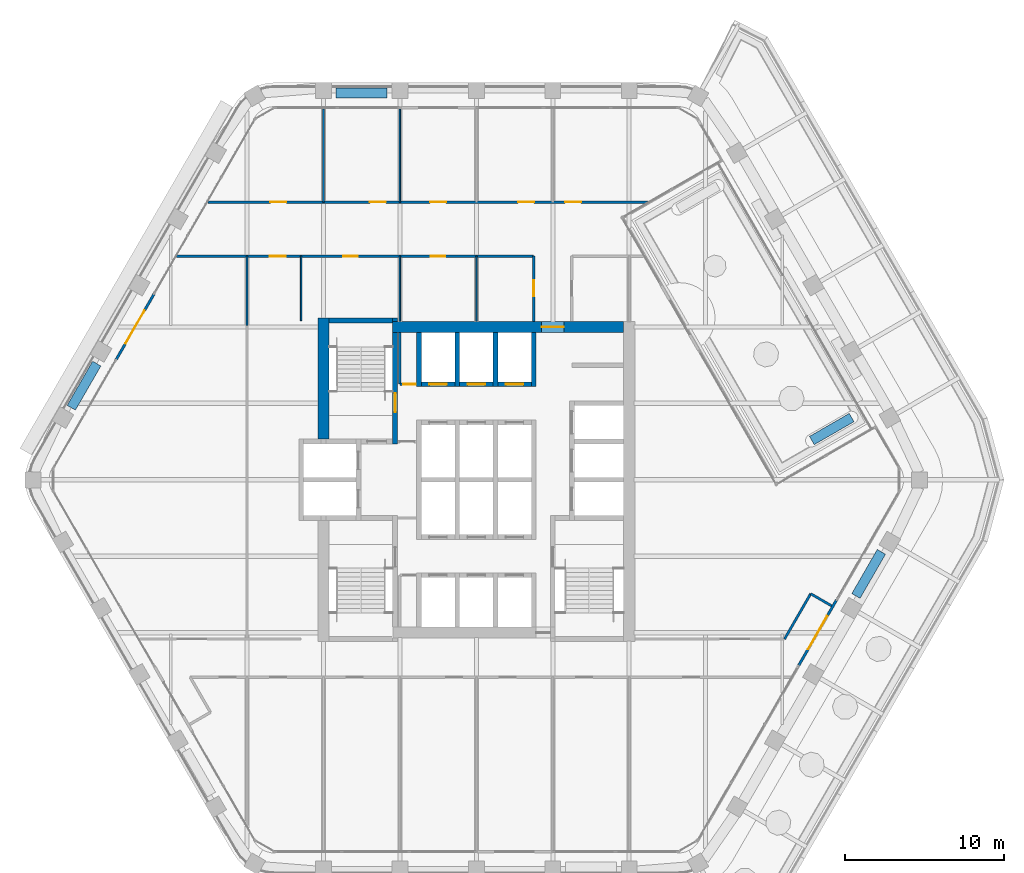
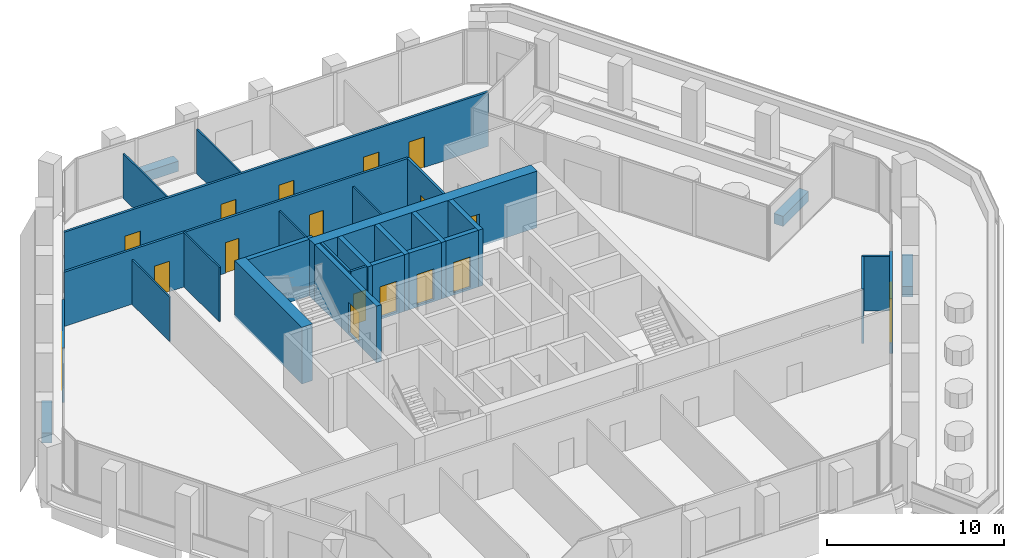
# One storey, part 13 of 17: 31 walls, 17 doors, 17 openings.
"""IFC4 building model written with IfcOpenShell, lengths in metres."""

from ifc_helpers import new_model, si_unit, direction, frame, frame_2d, origin, place, context, subcontext, project, spatial, rectangle, extrude, material, layer, layer_set, type_object, element, fill, save


model = new_model("IFC4")

# Units and contexts
model_context = context("Model", 3, precision=1e-05, world=origin(), true_north=direction((0.0, 1.0)))
body_context = subcontext(model_context, "Body", "Model", "MODEL_VIEW")
ifc_project = project(units=[si_unit("LENGTHUNIT", "METRE"), si_unit("AREAUNIT", "SQUARE_METRE"), si_unit("VOLUMEUNIT", "CUBIC_METRE"), si_unit("PLANEANGLEUNIT", "RADIAN"), si_unit("MASSUNIT", "GRAM", prefix="KILO")], contexts=[model_context])

# Site, building, storey
site_placement = place(None, origin())
site = spatial("IfcSite", under=ifc_project, at=site_placement, CompositionType="ELEMENT")
building_placement = place(site_placement, origin())
building = spatial("IfcBuilding", under=site, at=building_placement, Name="Kolab Exchange Tower", CompositionType="ELEMENT")
storey_placement = place(building_placement, frame((0.0, 0.0, 181.699951171875)))
storey = spatial("IfcBuildingStorey", under=building, at=storey_placement, Name="L38", CompositionType="ELEMENT", Elevation=181.699951171875)

# Wall, opening, door
ifc_material_1 = material(Name="Concrete C60/75", Category="concrete")
ifc_layer_1 = layer(ifc_material_1, 0.699951171875)
ifc_layer_set_1 = layer_set([ifc_layer_1], Name="Concrete C60/75")
wall_type_1 = type_object("IfcWallType", Name="CORE WALL 700 C60/75", PredefinedType="SHEAR", material=ifc_layer_set_1)
wall_1_placement = place(storey_placement, frame((-5.25, 9.60009765625, -0.14990234375), z_axis=(0.0, 0.0, 1.0), x_axis=(1.0, 0.0, 0.0)))
wall_1 = element("IfcWall", 1, at=wall_1_placement, inside=storey, type_object=wall_type_1, Name="wall/L38/core/031", PredefinedType="SHEAR", context=body_context, shape_type="SweptSolid", body=[
    extrude(rectangle(XDim=14.5, YDim=0.699951171875, at=frame_2d((7.25, 0.0))), origin(), (0.0, 0.0, 1.0), 3.89990234375),
])
opening_1_placement = place(wall_1_placement, frame((9.35009765625, 0.0, 0.14990234375)))
opening_1 = element("IfcOpeningElement", 2, at=opening_1_placement, cuts=wall_1, Name="Opening D5-010", PredefinedType="OPENING", context=body_context, shape_type="SweptSolid", body=[
    extrude(rectangle(XDim=1.39990234375, YDim=2.10009765625, at=frame_2d((0.699951171875, 1.050048828125))), frame((0.0, 0.35986328125, 0.0), z_axis=(0.0, -1.0, 0.0), x_axis=(1.0, 0.0, 0.0)), (0.0, 0.0, 1.0), 0.719970703125),
])
ifc_material_2 = material(Name="Steel S235", Category="steel")
door_type_1 = type_object("IfcDoorType", Name="CORE DOOR 1400 EI 120", OperationType="DOUBLE_DOOR_SINGLE_SWING", PredefinedType="DOOR", material=ifc_material_2)
door_1_placement = place(opening_1_placement, frame((1.39990234375, 0.0, 0.0), z_axis=(0.0, 0.0, 1.0), x_axis=(-1.0, 0.0, 0.0)))
door_1 = element("IfcDoor", 3, at=door_1_placement, inside=storey, type_object=door_type_1, Name="Core lobby door", OperationType="SINGLE_SWING_LEFT", OverallHeight=2.10009765625, OverallWidth=1.39990234375, PredefinedType="DOOR", context=body_context, shape_type="SweptSolid", body=[
    extrude(rectangle(XDim=1.39990234375, YDim=2.10009765625, at=frame_2d((0.699951171875, 1.050048828125))), frame((0.0, 0.02490234375, 0.0), z_axis=(0.0, -1.0, 0.0), x_axis=(1.0, 0.0, 0.0)), (0.0, 0.0, 1.0), 0.050048828125),
])
fill(opening_1, door_1)

# Wall
wall_2_placement = place(storey_placement, frame((-9.60009765625, 2.550048828125, -0.14990234375), z_axis=(0.0, 0.0, 1.0), x_axis=(0.0, 1.0, 0.0)))
element("IfcWall", 4, at=wall_2_placement, inside=storey, type_object=wall_type_1, Name="wall/L38/core/037", PredefinedType="SHEAR", context=body_context, shape_type="SweptSolid", body=[
    extrude(rectangle(XDim=7.599853515625, YDim=0.699951171875, at=frame_2d((3.7998046875, 0.0))), origin(), (0.0, 0.0, 1.0), 3.89990234375),
])

# Wall, opening, door
ifc_material_3 = material(Name="Aluminium EN AW-6063 T6", Category="aluminium")
ifc_layer_2 = layer(ifc_material_3, 0.159912109375)
ifc_layer_set_2 = layer_set([ifc_layer_2], Name="Aluminium EN AW-6063 T6")
wall_type_2 = type_object("IfcWallType", Name="DOOR SURROUND WALL 160 ALUMINIUM FRAMED", PredefinedType="PARTITIONING", material=ifc_layer_set_2)
wall_3_placement = place(storey_placement, frame((22.61669921875, -7.5498046875, 0.0), z_axis=(0.0, 0.0, 1.0), x_axis=(-0.5000167099, -0.866015756104, 0.0)))
wall_3 = element("IfcWall", 5, at=wall_3_placement, inside=storey, type_object=wall_type_2, Name="Door surround wall", PredefinedType="PARTITIONING", context=body_context, shape_type="SweptSolid", body=[
    extrude(rectangle(XDim=4.739990234375, YDim=0.159912109375, at=frame_2d((2.3701171875, 0.0))), origin(), (0.0, 0.0, 1.0), 3.75),
])
opening_2_placement = place(wall_3_placement, frame((1.169921875, 0.0, 0.0)))
opening_2 = element("IfcOpeningElement", 6, at=opening_2_placement, cuts=wall_3, Name="Opening GD1-066", PredefinedType="OPENING", context=body_context, shape_type="SweptSolid", body=[
    extrude(rectangle(XDim=2.39990234375, YDim=2.39990234375, at=frame_2d((1.199951171875, 1.199951171875))), frame((0.0, 0.08984375, 0.0), z_axis=(0.0, -1.0, 0.0), x_axis=(1.0, 0.0, 0.0)), (0.0, 0.0, 1.0), 0.179931640625),
])
door_type_2 = type_object("IfcDoorType", Name="LOGGIA SLIDING GLASS DOOR 2400 X 2400", OperationType="DOUBLE_DOOR_SINGLE_SWING", PredefinedType="DOOR", material=ifc_material_3)
door_2_placement = place(opening_2_placement, origin())
door_2 = element("IfcDoor", 7, at=door_2_placement, inside=storey, type_object=door_type_2, Name="Loggia door", OperationType="DOUBLE_DOOR_SLIDING", OverallHeight=2.39990234375, OverallWidth=2.39990234375, PredefinedType="DOOR", context=body_context, shape_type="SweptSolid", body=[
    extrude(rectangle(XDim=2.39990234375, YDim=2.39990234375, at=frame_2d((1.199951171875, 1.199951171875))), frame((0.0, 0.02490234375, 0.0), z_axis=(0.0, -1.0, 0.0), x_axis=(1.0, 0.0, 0.0)), (0.0, 0.0, 1.0), 0.050048828125),
])
fill(opening_2, door_2)

wall_4_placement = place(storey_placement, frame((-22.61669921875, 7.5498046875, 0.0), z_axis=(0.0, 0.0, 1.0), x_axis=(0.5000167099, 0.866015756104, 0.0)))
wall_4 = element("IfcWall", 8, at=wall_4_placement, inside=storey, type_object=wall_type_2, Name="Door surround wall", PredefinedType="PARTITIONING", context=body_context, shape_type="SweptSolid", body=[
    extrude(rectangle(XDim=4.739990234375, YDim=0.159912109375, at=frame_2d((2.3701171875, 0.0))), origin(), (0.0, 0.0, 1.0), 3.75),
])
opening_3_placement = place(wall_4_placement, frame((1.169921875, 0.0, 0.0)))
opening_3 = element("IfcOpeningElement", 9, at=opening_3_placement, cuts=wall_4, Name="Opening GD1-069", PredefinedType="OPENING", context=body_context, shape_type="SweptSolid", body=[
    extrude(rectangle(XDim=2.39990234375, YDim=2.39990234375, at=frame_2d((1.199951171875, 1.199951171875))), frame((0.0, 0.08984375, 0.0), z_axis=(0.0, -1.0, 0.0), x_axis=(1.0, 0.0, 0.0)), (0.0, 0.0, 1.0), 0.179931640625),
])
door_3_placement = place(opening_3_placement, origin())
door_3 = element("IfcDoor", 10, at=door_3_placement, inside=storey, type_object=door_type_2, Name="Loggia door", OperationType="DOUBLE_DOOR_SLIDING", OverallHeight=2.39990234375, OverallWidth=2.39990234375, PredefinedType="DOOR", context=body_context, shape_type="SweptSolid", body=[
    extrude(rectangle(XDim=2.39990234375, YDim=2.39990234375, at=frame_2d((1.199951171875, 1.199951171875))), frame((0.0, 0.02490234375, 0.0), z_axis=(0.0, -1.0, 0.0), x_axis=(1.0, 0.0, 0.0)), (0.0, 0.0, 1.0), 0.050048828125),
])
fill(opening_3, door_3)

ifc_material_4 = material(Name="Concrete C50/60", Category="concrete")
ifc_layer_3 = layer(ifc_material_4, 0.300048828125)
ifc_layer_set_3 = layer_set([ifc_layer_3], Name="Concrete C50/60")
wall_type_3 = type_object("IfcWallType", Name="LIFT SHAFT WALL 300 C50/60", PredefinedType="STANDARD", material=ifc_layer_set_3)
wall_5_placement = place(storey_placement, frame((-3.449951171875, 6.0, -0.14990234375), z_axis=(0.0, 0.0, 1.0), x_axis=(1.0, 0.0, 0.0)))
wall_5 = element("IfcWall", 11, at=wall_5_placement, inside=storey, type_object=wall_type_3, Name="wall/L38/core/027", PredefinedType="STANDARD", context=body_context, shape_type="SweptSolid", body=[
    extrude(rectangle(XDim=2.099853515625, YDim=0.300048828125, at=frame_2d((1.0498046875, 0.0))), origin(), (0.0, 0.0, 1.0), 3.89990234375),
])
opening_4_placement = place(wall_5_placement, frame((0.5, 0.0, 0.14990234375)))
opening_4 = element("IfcOpeningElement", 12, at=opening_4_placement, cuts=wall_5, Name="Opening LD1-109", PredefinedType="OPENING", context=body_context, shape_type="SweptSolid", body=[
    extrude(rectangle(XDim=1.10009765625, YDim=2.10009765625, at=frame_2d((0.550048828125, 1.050048828125))), frame((0.0, 0.16015625, 0.0), z_axis=(0.0, -1.0, 0.0), x_axis=(1.0, 0.0, 0.0)), (0.0, 0.0, 1.0), 0.320068359375),
])
ifc_material_5 = material(Name="Stainless steel 316", Category="steel")
door_type_3 = type_object("IfcDoorType", Name="LANDING DOOR 1100 PASSENGER", OperationType="DOUBLE_DOOR_SLIDING", PredefinedType="DOOR", material=ifc_material_5)
door_4_placement = place(opening_4_placement, origin())
door_4 = element("IfcDoor", 13, at=door_4_placement, inside=storey, type_object=door_type_3, Name="Landing door HR1", OperationType="DOUBLE_DOOR_SLIDING", OverallHeight=2.10009765625, OverallWidth=1.10009765625, PredefinedType="DOOR", context=body_context, shape_type="SweptSolid", body=[
    extrude(rectangle(XDim=1.10009765625, YDim=2.10009765625, at=frame_2d((0.550048828125, 1.050048828125))), frame((0.0, 0.02490234375, 0.0), z_axis=(0.0, -1.0, 0.0), x_axis=(1.0, 0.0, 0.0)), (0.0, 0.0, 1.0), 0.050048828125),
])
fill(opening_4, door_4)

wall_6_placement = place(storey_placement, frame((-1.050048828125, 6.0, -0.14990234375), z_axis=(0.0, 0.0, 1.0), x_axis=(1.0, 0.0, 0.0)))
wall_6 = element("IfcWall", 14, at=wall_6_placement, inside=storey, type_object=wall_type_3, Name="wall/L38/core/028", PredefinedType="STANDARD", context=body_context, shape_type="SweptSolid", body=[
    extrude(rectangle(XDim=2.10009765625, YDim=0.300048828125, at=frame_2d((1.050048828125, 0.0))), origin(), (0.0, 0.0, 1.0), 3.89990234375),
])
opening_5_placement = place(wall_6_placement, frame((0.5, 0.0, 0.14990234375)))
opening_5 = element("IfcOpeningElement", 15, at=opening_5_placement, cuts=wall_6, Name="Opening LD1-113", PredefinedType="OPENING", context=body_context, shape_type="SweptSolid", body=[
    extrude(rectangle(XDim=1.10009765625, YDim=2.10009765625, at=frame_2d((0.550048828125, 1.050048828125))), frame((0.0, 0.16015625, 0.0), z_axis=(0.0, -1.0, 0.0), x_axis=(1.0, 0.0, 0.0)), (0.0, 0.0, 1.0), 0.320068359375),
])
door_5_placement = place(opening_5_placement, origin())
door_5 = element("IfcDoor", 16, at=door_5_placement, inside=storey, type_object=door_type_3, Name="Landing door HR2", OperationType="DOUBLE_DOOR_SLIDING", OverallHeight=2.10009765625, OverallWidth=1.10009765625, PredefinedType="DOOR", context=body_context, shape_type="SweptSolid", body=[
    extrude(rectangle(XDim=1.10009765625, YDim=2.10009765625, at=frame_2d((0.550048828125, 1.050048828125))), frame((0.0, 0.02490234375, 0.0), z_axis=(0.0, -1.0, 0.0), x_axis=(1.0, 0.0, 0.0)), (0.0, 0.0, 1.0), 0.050048828125),
])
fill(opening_5, door_5)

wall_7_placement = place(storey_placement, frame((1.35009765625, 6.0, -0.14990234375), z_axis=(0.0, 0.0, 1.0), x_axis=(1.0, 0.0, 0.0)))
wall_7 = element("IfcWall", 17, at=wall_7_placement, inside=storey, type_object=wall_type_3, Name="wall/L38/core/029", PredefinedType="STANDARD", context=body_context, shape_type="SweptSolid", body=[
    extrude(rectangle(XDim=2.099853515625, YDim=0.300048828125, at=frame_2d((1.0498046875, 0.0))), origin(), (0.0, 0.0, 1.0), 3.89990234375),
])
opening_6_placement = place(wall_7_placement, frame((0.5, 0.0, 0.14990234375)))
opening_6 = element("IfcOpeningElement", 18, at=opening_6_placement, cuts=wall_7, Name="Opening LD1-114", PredefinedType="OPENING", context=body_context, shape_type="SweptSolid", body=[
    extrude(rectangle(XDim=1.10009765625, YDim=2.10009765625, at=frame_2d((0.550048828125, 1.050048828125))), frame((0.0, 0.16015625, 0.0), z_axis=(0.0, -1.0, 0.0), x_axis=(1.0, 0.0, 0.0)), (0.0, 0.0, 1.0), 0.320068359375),
])
door_6_placement = place(opening_6_placement, origin())
door_6 = element("IfcDoor", 19, at=door_6_placement, inside=storey, type_object=door_type_3, Name="Landing door HR3", OperationType="DOUBLE_DOOR_SLIDING", OverallHeight=2.10009765625, OverallWidth=1.10009765625, PredefinedType="DOOR", context=body_context, shape_type="SweptSolid", body=[
    extrude(rectangle(XDim=1.10009765625, YDim=2.10009765625, at=frame_2d((0.550048828125, 1.050048828125))), frame((0.0, 0.02490234375, 0.0), z_axis=(0.0, -1.0, 0.0), x_axis=(1.0, 0.0, 0.0)), (0.0, 0.0, 1.0), 0.050048828125),
])
fill(opening_6, door_6)

# Walls
for number, where, z_axis, x_axis, name in (
    (20, (-3.60009765625, 5.85009765625, -0.14990234375), (0.0, 0.0, 1.0), (0.0, 1.0, 0.0), "wall/L38/core/045"),
    (21, (-1.199951171875, 5.85009765625, -0.14990234375), (0.0, 0.0, 1.0), (0.0, 1.0, 0.0), "wall/L38/core/048"),
    (22, (1.199951171875, 5.85009765625, -0.14990234375), (0.0, 0.0, 1.0), (0.0, 1.0, 0.0), "wall/L38/core/051"),
    (23, (3.60009765625, 5.85009765625, -0.14990234375), (0.0, 0.0, 1.0), (0.0, 1.0, 0.0), "wall/L38/core/054"),
):
    element("IfcWall", number, at=place(storey_placement, frame(where, z_axis=z_axis, x_axis=x_axis)), inside=storey, type_object=wall_type_3, Name=name, PredefinedType="STANDARD", context=body_context, shape_type="SweptSolid", body=[
        extrude(rectangle(XDim=3.39990234375, YDim=0.300048828125, at=frame_2d((1.699951171875, 0.0))), origin(), (0.0, 0.0, 1.0), 3.89990234375),
    ])
ifc_material_6 = material(Name="Gypsum board", Category="gypsum")
ifc_layer_4 = layer(ifc_material_6, 0.10009765625)
ifc_layer_set_4 = layer_set([ifc_layer_4], Name="Gypsum board")
wall_type_4 = type_object("IfcWallType", Name="PARTITION 100", PredefinedType="PARTITIONING", material=ifc_layer_set_4)
for number, where, z_axis, x_axis, name in (
    (24, (0.0, 9.949951171875, 0.0), (0.0, 0.0, 1.0), (0.0, 1.0, 0.0), "Partition 007"),
    (25, (-4.800048828125, 9.949951171875, 0.0), (0.0, 0.0, 1.0), (0.0, 1.0, 0.0), "Partition 010"),
):
    element("IfcWall", number, at=place(storey_placement, frame(where, z_axis=z_axis, x_axis=x_axis)), inside=storey, type_object=wall_type_4, Name=name, PredefinedType="PARTITIONING", context=body_context, shape_type="SweptSolid", body=[
        extrude(rectangle(XDim=4.091552734375, YDim=0.10009765625, at=frame_2d((2.0458984375, 0.0))), origin(), (0.0, 0.0, 1.0), 3.066162109375),
    ])
wall_8_placement = place(storey_placement, frame((-4.800048828125, 17.44140625, 0.0), z_axis=(0.0, 0.0, 1.0), x_axis=(0.0, 1.0, 0.0)))
element("IfcWall", 26, at=wall_8_placement, inside=storey, type_object=wall_type_4, Name="Partition 011", PredefinedType="PARTITIONING", context=body_context, shape_type="SweptSolid", body=[
    extrude(rectangle(XDim=5.840087890625, YDim=0.10009765625, at=frame_2d((2.919921875, 0.0))), origin(), (0.0, 0.0, 1.0), 3.066162109375),
])
wall_9_placement = place(storey_placement, frame((-9.60009765625, 17.44140625, 0.0), z_axis=(0.0, 0.0, 1.0), x_axis=(0.0, 1.0, 0.0)))
element("IfcWall", 27, at=wall_9_placement, inside=storey, type_object=wall_type_4, Name="Partition 015", PredefinedType="PARTITIONING", context=body_context, shape_type="SweptSolid", body=[
    extrude(rectangle(XDim=5.830078125, YDim=0.10009765625, at=frame_2d((2.9150390625, 0.0))), origin(), (0.0, 0.0, 1.0), 3.066162109375),
])
wall_10_placement = place(storey_placement, frame((-11.0, 10.0, 0.0), z_axis=(0.0, 0.0, 1.0), x_axis=(0.0, 1.0, 0.0)))
element("IfcWall", 28, at=wall_10_placement, inside=storey, type_object=wall_type_4, Name="Partition 016", PredefinedType="PARTITIONING", context=body_context, shape_type="SweptSolid", body=[
    extrude(rectangle(XDim=4.04150390625, YDim=0.10009765625, at=frame_2d((2.020751953125, 0.0))), origin(), (0.0, 0.0, 1.0), 3.75),
])
wall_11_placement = place(storey_placement, frame((-14.39990234375, 9.693603515625, 0.0), z_axis=(0.0, 0.0, 1.0), x_axis=(0.0, 1.0, 0.0)))
element("IfcWall", 29, at=wall_11_placement, inside=storey, type_object=wall_type_4, Name="Partition 018", PredefinedType="PARTITIONING", context=body_context, shape_type="SweptSolid", body=[
    extrude(rectangle(XDim=4.347900390625, YDim=0.10009765625, at=frame_2d((2.173828125, 0.0))), origin(), (0.0, 0.0, 1.0), 3.066162109375),
])

# Wall, opening, door
ifc_layer_5 = layer(ifc_material_6, 0.14990234375)
ifc_layer_set_5 = layer_set([ifc_layer_5], Name="Gypsum board")
wall_type_5 = type_object("IfcWallType", Name="PARTITION 150 FIRE-RATED", PredefinedType="PARTITIONING", material=ifc_layer_set_5)
wall_12_placement = place(storey_placement, frame((3.60009765625, 9.949951171875, 0.0), z_axis=(0.0, 0.0, 1.0), x_axis=(0.0, 1.0, 0.0)))
wall_12 = element("IfcWall", 30, at=wall_12_placement, inside=storey, type_object=wall_type_5, Name="Partition 005", PredefinedType="PARTITIONING", context=body_context, shape_type="SweptSolid", body=[
    extrude(rectangle(XDim=4.091552734375, YDim=0.14990234375, at=frame_2d((2.0458984375, 0.0))), origin(), (0.0, 0.0, 1.0), 3.75),
])
opening_7_placement = place(wall_12_placement, frame((1.57080078125, 0.0, 0.0)))
opening_7 = element("IfcOpeningElement", 31, at=opening_7_placement, cuts=wall_12, Name="Opening D1-505", PredefinedType="OPENING", context=body_context, shape_type="SweptSolid", body=[
    extrude(rectangle(XDim=1.0, YDim=2.10009765625, at=frame_2d((0.5, 1.050048828125))), frame((0.0, 0.0849609375, 0.0), z_axis=(0.0, -1.0, 0.0), x_axis=(1.0, 0.0, 0.0)), (0.0, 0.0, 1.0), 0.169921875),
])
door_type_4 = type_object("IfcDoorType", Name="FLUSH DOOR 1000 FD60", OperationType="SINGLE_SWING_LEFT", PredefinedType="DOOR", material=ifc_material_2)
door_7_placement = place(opening_7_placement, origin())
door_7 = element("IfcDoor", 32, at=door_7_placement, inside=storey, type_object=door_type_4, Name="Door L38-033", OperationType="SINGLE_SWING_RIGHT", OverallHeight=2.10009765625, OverallWidth=1.0, PredefinedType="DOOR", context=body_context, shape_type="SweptSolid", body=[
    extrude(rectangle(XDim=1.0, YDim=2.10009765625, at=frame_2d((0.5, 1.050048828125))), frame((0.0, 0.02490234375, 0.0), z_axis=(0.0, -1.0, 0.0), x_axis=(1.0, 0.0, 0.0)), (0.0, 0.0, 1.0), 0.050048828125),
])
fill(opening_7, door_7)

# Walls
wall_13_placement = place(storey_placement, frame((-4.800048828125, 6.0, 0.0), z_axis=(0.0, 0.0, 1.0), x_axis=(0.0, 1.0, 0.0)))
element("IfcWall", 33, at=wall_13_placement, inside=storey, type_object=wall_type_5, Name="Partition 013", PredefinedType="PARTITIONING", context=body_context, shape_type="SweptSolid", body=[
    extrude(rectangle(XDim=3.25, YDim=0.14990234375, at=frame_2d((1.625, 0.0))), origin(), (0.0, 0.0, 1.0), 3.75),
])
wall_14_placement = place(storey_placement, frame((19.3544921875, -10.0, 0.0), z_axis=(0.0, 0.0, 1.0), x_axis=(0.500009969958, 0.86601964755, 0.0)))
element("IfcWall", 34, at=wall_14_placement, inside=storey, type_object=wall_type_5, Name="Partition 020", PredefinedType="PARTITIONING", context=body_context, shape_type="SweptSolid", body=[
    extrude(rectangle(XDim=3.283203125, YDim=0.14990234375, at=frame_2d((1.6416015625, 0.0))), origin(), (0.0, 0.0, 1.0), 3.75),
])
wall_15_placement = place(storey_placement, frame((20.99609375, -7.15673828125, 0.0), z_axis=(0.0, 0.0, 1.0), x_axis=(0.865960906633, -0.500111695708, 0.0)))
element("IfcWall", 35, at=wall_15_placement, inside=storey, type_object=wall_type_5, Name="Partition 021", PredefinedType="PARTITIONING", context=body_context, shape_type="SweptSolid", body=[
    extrude(rectangle(XDim=1.520263671875, YDim=0.14990234375, at=frame_2d((0.76025390625, 0.0))), origin(), (0.0, 0.0, 1.0), 3.75),
])

# Wall, opening, door
wall_16_placement = place(storey_placement, frame((-4.800048828125, 6.0, 0.0), z_axis=(0.0, 0.0, 1.0), x_axis=(1.0, 0.0, 0.0)))
wall_16 = element("IfcWall", 36, at=wall_16_placement, inside=storey, type_object=wall_type_5, Name="Partition 027", PredefinedType="PARTITIONING", context=body_context, shape_type="SweptSolid", body=[
    extrude(rectangle(XDim=1.050048828125, YDim=0.14990234375, at=frame_2d((0.52490234375, 0.0))), origin(), (0.0, 0.0, 1.0), 3.75),
])
opening_8_placement = place(wall_16_placement, frame((0.199951171875, 0.0, 0.0)))
opening_8 = element("IfcOpeningElement", 37, at=opening_8_placement, cuts=wall_16, Name="Opening D7-032", PredefinedType="OPENING", context=body_context, shape_type="SweptSolid", body=[
    extrude(rectangle(XDim=0.800048828125, YDim=2.10009765625, at=frame_2d((0.39990234375, 1.050048828125))), frame((0.0, 0.0849609375, 0.0), z_axis=(0.0, -1.0, 0.0), x_axis=(1.0, 0.0, 0.0)), (0.0, 0.0, 1.0), 0.169921875),
])
door_type_5 = type_object("IfcDoorType", Name="FLUSH DOOR 800 FD60", OperationType="SINGLE_SWING_LEFT", PredefinedType="DOOR", material=ifc_material_2)
door_8_placement = place(opening_8_placement, origin())
door_8 = element("IfcDoor", 38, at=door_8_placement, inside=storey, type_object=door_type_5, Name="Door L38-023", OperationType="SINGLE_SWING_RIGHT", OverallHeight=2.10009765625, OverallWidth=0.800048828125, PredefinedType="DOOR", context=body_context, shape_type="SweptSolid", body=[
    extrude(rectangle(XDim=0.800048828125, YDim=2.10009765625, at=frame_2d((0.39990234375, 1.050048828125))), frame((0.0, 0.02490234375, 0.0), z_axis=(0.0, -1.0, 0.0), x_axis=(1.0, 0.0, 0.0)), (0.0, 0.0, 1.0), 0.050048828125),
])
fill(opening_8, door_8)

# Wall, openings, doors
wall_17_placement = place(storey_placement, frame((-18.822509765625, 14.04150390625, 0.0), z_axis=(0.0, 0.0, 1.0), x_axis=(1.0, 0.0, 0.0)))
wall_17 = element("IfcWall", 39, at=wall_17_placement, inside=storey, type_object=wall_type_5, Name="Partition 028", PredefinedType="PARTITIONING", context=body_context, shape_type="SweptSolid", body=[
    extrude(rectangle(XDim=22.422607421875, YDim=0.14990234375, at=frame_2d((11.21142578125, 0.0))), origin(), (0.0, 0.0, 1.0), 3.75),
])
opening_9_placement = place(wall_17_placement, frame((10.472412109375, 0.0, 0.0)))
opening_9 = element("IfcOpeningElement", 40, at=opening_9_placement, cuts=wall_17, Name="Opening D3-038", PredefinedType="OPENING", context=body_context, shape_type="SweptSolid", body=[
    extrude(rectangle(XDim=0.89990234375, YDim=2.10009765625, at=frame_2d((0.449951171875, 1.050048828125))), frame((0.0, 0.0849609375, 0.0), z_axis=(0.0, -1.0, 0.0), x_axis=(1.0, 0.0, 0.0)), (0.0, 0.0, 1.0), 0.169921875),
])
opening_10_placement = place(wall_17_placement, frame((15.972412109375, 0.0, 0.0)))
opening_10 = element("IfcOpeningElement", 41, at=opening_10_placement, cuts=wall_17, Name="Opening D3-039", PredefinedType="OPENING", context=body_context, shape_type="SweptSolid", body=[
    extrude(rectangle(XDim=0.89990234375, YDim=2.10009765625, at=frame_2d((0.449951171875, 1.050048828125))), frame((0.0, 0.0849609375, 0.0), z_axis=(0.0, -1.0, 0.0), x_axis=(1.0, 0.0, 0.0)), (0.0, 0.0, 1.0), 0.169921875),
])
opening_11_placement = place(wall_17_placement, frame((5.847412109375, 0.0, 0.0)))
opening_11 = element("IfcOpeningElement", 42, at=opening_11_placement, cuts=wall_17, Name="Opening D1-518", PredefinedType="OPENING", context=body_context, shape_type="SweptSolid", body=[
    extrude(rectangle(XDim=1.0, YDim=2.10009765625, at=frame_2d((0.5, 1.050048828125))), frame((0.0, 0.0849609375, 0.0), z_axis=(0.0, -1.0, 0.0), x_axis=(1.0, 0.0, 0.0)), (0.0, 0.0, 1.0), 0.169921875),
])
door_9_placement = place(opening_11_placement, frame((1.0, 0.0, 0.0), z_axis=(0.0, 0.0, 1.0), x_axis=(-1.0, 0.0, 0.0)))
door_9 = element("IfcDoor", 43, at=door_9_placement, inside=storey, type_object=door_type_4, Name="Door L38-048", OperationType="SINGLE_SWING_RIGHT", OverallHeight=2.10009765625, OverallWidth=1.0, PredefinedType="DOOR", context=body_context, shape_type="SweptSolid", body=[
    extrude(rectangle(XDim=1.0, YDim=2.10009765625, at=frame_2d((0.5, 1.050048828125))), frame((0.0, 0.02490234375, 0.0), z_axis=(0.0, -1.0, 0.0), x_axis=(1.0, 0.0, 0.0)), (0.0, 0.0, 1.0), 0.050048828125),
])
fill(opening_11, door_9)
door_type_6 = type_object("IfcDoorType", Name="FLUSH DOOR 900 FD60", OperationType="SINGLE_SWING_LEFT", PredefinedType="DOOR", material=ifc_material_2)
door_10_placement = place(opening_9_placement, frame((0.89990234375, 0.0, 0.0), z_axis=(0.0, 0.0, 1.0), x_axis=(-1.0, 0.0, 0.0)))
door_10 = element("IfcDoor", 44, at=door_10_placement, inside=storey, type_object=door_type_6, Name="Door L38-031", OperationType="SINGLE_SWING_LEFT", OverallHeight=2.10009765625, OverallWidth=0.89990234375, PredefinedType="DOOR", context=body_context, shape_type="SweptSolid", body=[
    extrude(rectangle(XDim=0.89990234375, YDim=2.10009765625, at=frame_2d((0.449951171875, 1.050048828125))), frame((0.0, 0.02490234375, 0.0), z_axis=(0.0, -1.0, 0.0), x_axis=(1.0, 0.0, 0.0)), (0.0, 0.0, 1.0), 0.050048828125),
])
fill(opening_9, door_10)
door_11_placement = place(opening_10_placement, frame((0.89990234375, 0.0, 0.0), z_axis=(0.0, 0.0, 1.0), x_axis=(-1.0, 0.0, 0.0)))
door_11 = element("IfcDoor", 45, at=door_11_placement, inside=storey, type_object=door_type_6, Name="Door L38-032", OperationType="SINGLE_SWING_LEFT", OverallHeight=2.10009765625, OverallWidth=0.89990234375, PredefinedType="DOOR", context=body_context, shape_type="SweptSolid", body=[
    extrude(rectangle(XDim=0.89990234375, YDim=2.10009765625, at=frame_2d((0.449951171875, 1.050048828125))), frame((0.0, 0.02490234375, 0.0), z_axis=(0.0, -1.0, 0.0), x_axis=(1.0, 0.0, 0.0)), (0.0, 0.0, 1.0), 0.050048828125),
])
fill(opening_10, door_11)

wall_18_placement = place(storey_placement, frame((-16.859619140625, 17.44140625, 0.0), z_axis=(0.0, 0.0, 1.0), x_axis=(1.0, 0.0, 0.0)))
wall_18 = element("IfcWall", 46, at=wall_18_placement, inside=storey, type_object=wall_type_5, Name="Partition 030", PredefinedType="PARTITIONING", context=body_context, shape_type="SweptSolid", body=[
    extrude(rectangle(XDim=27.629150390625, YDim=0.14990234375, at=frame_2d((13.814453125, 0.0))), origin(), (0.0, 0.0, 1.0), 3.75),
])
opening_12_placement = place(wall_18_placement, frame((3.93017578125, 0.0, 0.0)))
opening_12 = element("IfcOpeningElement", 47, at=opening_12_placement, cuts=wall_18, Name="Opening D1-506", PredefinedType="OPENING", context=body_context, shape_type="SweptSolid", body=[
    extrude(rectangle(XDim=1.0, YDim=2.10009765625, at=frame_2d((0.5, 1.050048828125))), frame((0.0, 0.0849609375, 0.0), z_axis=(0.0, -1.0, 0.0), x_axis=(1.0, 0.0, 0.0)), (0.0, 0.0, 1.0), 0.169921875),
])
opening_13_placement = place(wall_18_placement, frame((10.174560546875, 0.0, 0.0)))
opening_13 = element("IfcOpeningElement", 48, at=opening_13_placement, cuts=wall_18, Name="Opening D1-507", PredefinedType="OPENING", context=body_context, shape_type="SweptSolid", body=[
    extrude(rectangle(XDim=1.0, YDim=2.10009765625, at=frame_2d((0.5, 1.050048828125))), frame((0.0, 0.0849609375, 0.0), z_axis=(0.0, -1.0, 0.0), x_axis=(1.0, 0.0, 0.0)), (0.0, 0.0, 1.0), 0.169921875),
])
opening_14_placement = place(wall_18_placement, frame((13.95947265625, 0.0, 0.0)))
opening_14 = element("IfcOpeningElement", 49, at=opening_14_placement, cuts=wall_18, Name="Opening D1-508", PredefinedType="OPENING", context=body_context, shape_type="SweptSolid", body=[
    extrude(rectangle(XDim=1.0, YDim=2.10009765625, at=frame_2d((0.5, 1.050048828125))), frame((0.0, 0.0849609375, 0.0), z_axis=(0.0, -1.0, 0.0), x_axis=(1.0, 0.0, 0.0)), (0.0, 0.0, 1.0), 0.169921875),
])
opening_15_placement = place(wall_18_placement, frame((19.484619140625, 0.0, 0.0)))
opening_15 = element("IfcOpeningElement", 50, at=opening_15_placement, cuts=wall_18, Name="Opening D1-509", PredefinedType="OPENING", context=body_context, shape_type="SweptSolid", body=[
    extrude(rectangle(XDim=1.0, YDim=2.10009765625, at=frame_2d((0.5, 1.050048828125))), frame((0.0, 0.0849609375, 0.0), z_axis=(0.0, -1.0, 0.0), x_axis=(1.0, 0.0, 0.0)), (0.0, 0.0, 1.0), 0.169921875),
])
opening_16_placement = place(wall_18_placement, frame((22.439453125, 0.0, 0.0)))
opening_16 = element("IfcOpeningElement", 51, at=opening_16_placement, cuts=wall_18, Name="Opening D1-510", PredefinedType="OPENING", context=body_context, shape_type="SweptSolid", body=[
    extrude(rectangle(XDim=1.0, YDim=2.10009765625, at=frame_2d((0.5, 1.050048828125))), frame((0.0, 0.0849609375, 0.0), z_axis=(0.0, -1.0, 0.0), x_axis=(1.0, 0.0, 0.0)), (0.0, 0.0, 1.0), 0.169921875),
])
door_12_placement = place(opening_12_placement, origin())
door_12 = element("IfcDoor", 52, at=door_12_placement, inside=storey, type_object=door_type_4, Name="Door L38-034", OperationType="SINGLE_SWING_RIGHT", OverallHeight=2.10009765625, OverallWidth=1.0, PredefinedType="DOOR", context=body_context, shape_type="SweptSolid", body=[
    extrude(rectangle(XDim=1.0, YDim=2.10009765625, at=frame_2d((0.5, 1.050048828125))), frame((0.0, 0.02490234375, 0.0), z_axis=(0.0, -1.0, 0.0), x_axis=(1.0, 0.0, 0.0)), (0.0, 0.0, 1.0), 0.050048828125),
])
fill(opening_12, door_12)
door_13_placement = place(opening_13_placement, origin())
door_13 = element("IfcDoor", 53, at=door_13_placement, inside=storey, type_object=door_type_4, Name="Door L38-035", OperationType="SINGLE_SWING_RIGHT", OverallHeight=2.10009765625, OverallWidth=1.0, PredefinedType="DOOR", context=body_context, shape_type="SweptSolid", body=[
    extrude(rectangle(XDim=1.0, YDim=2.10009765625, at=frame_2d((0.5, 1.050048828125))), frame((0.0, 0.02490234375, 0.0), z_axis=(0.0, -1.0, 0.0), x_axis=(1.0, 0.0, 0.0)), (0.0, 0.0, 1.0), 0.050048828125),
])
fill(opening_13, door_13)
door_14_placement = place(opening_14_placement, origin())
door_14 = element("IfcDoor", 54, at=door_14_placement, inside=storey, type_object=door_type_4, Name="Door L38-036", OperationType="SINGLE_SWING_LEFT", OverallHeight=2.10009765625, OverallWidth=1.0, PredefinedType="DOOR", context=body_context, shape_type="SweptSolid", body=[
    extrude(rectangle(XDim=1.0, YDim=2.10009765625, at=frame_2d((0.5, 1.050048828125))), frame((0.0, 0.02490234375, 0.0), z_axis=(0.0, -1.0, 0.0), x_axis=(1.0, 0.0, 0.0)), (0.0, 0.0, 1.0), 0.050048828125),
])
fill(opening_14, door_14)
door_15_placement = place(opening_15_placement, origin())
door_15 = element("IfcDoor", 55, at=door_15_placement, inside=storey, type_object=door_type_4, Name="Door L38-037", OperationType="SINGLE_SWING_RIGHT", OverallHeight=2.10009765625, OverallWidth=1.0, PredefinedType="DOOR", context=body_context, shape_type="SweptSolid", body=[
    extrude(rectangle(XDim=1.0, YDim=2.10009765625, at=frame_2d((0.5, 1.050048828125))), frame((0.0, 0.02490234375, 0.0), z_axis=(0.0, -1.0, 0.0), x_axis=(1.0, 0.0, 0.0)), (0.0, 0.0, 1.0), 0.050048828125),
])
fill(opening_15, door_15)
door_16_placement = place(opening_16_placement, origin())
door_16 = element("IfcDoor", 56, at=door_16_placement, inside=storey, type_object=door_type_4, Name="Door L38-038", OperationType="SINGLE_SWING_LEFT", OverallHeight=2.10009765625, OverallWidth=1.0, PredefinedType="DOOR", context=body_context, shape_type="SweptSolid", body=[
    extrude(rectangle(XDim=1.0, YDim=2.10009765625, at=frame_2d((0.5, 1.050048828125))), frame((0.0, 0.02490234375, 0.0), z_axis=(0.0, -1.0, 0.0), x_axis=(1.0, 0.0, 0.0)), (0.0, 0.0, 1.0), 0.050048828125),
])
fill(opening_16, door_16)

# Walls
ifc_material_7 = material(Name="Granite facing", Category="masonry")
ifc_layer_6 = layer(ifc_material_7, 0.0400390625)
ifc_material_8 = material(Name="Concrete C40/50 precast", Category="concrete")
ifc_layer_7 = layer(ifc_material_8, 0.56005859375)
ifc_layer_set_6 = layer_set([ifc_layer_6, ifc_layer_7], Name="Concrete C40/50 precast")
wall_type_6 = type_object("IfcWallType", Name="PLANTER BOX 600 X 700 SOIL DEPTH 550", PredefinedType="USERDEFINED", material=ifc_layer_set_6)
wall_19_placement = place(storey_placement, frame((-8.800048828125, 24.29150390625, 0.0), z_axis=(0.0, 0.0, 1.0), x_axis=(1.0, 0.0, 0.0)))
element("IfcWall", 57, at=wall_19_placement, inside=storey, type_object=wall_type_6, Name="Planter", ObjectType="PLANTER", PredefinedType="USERDEFINED", context=body_context, shape_type="SweptSolid", body=[
    extrude(rectangle(XDim=3.199951171875, YDim=0.60009765625, at=frame_2d((1.60009765625, 0.0))), origin(), (0.0, 0.0, 1.0), 0.699951171875),
])
for number, where, z_axis, x_axis, name in (
    (58, (25.43701171875, -4.524658203125, 0.0), (0.0, 0.0, 1.0), (-0.499938187974, -0.866061088033, 0.0), "Planter"),
    (59, (-25.43701171875, 4.524658203125, 0.0), (0.0, 0.0, 1.0), (0.499938187974, 0.866061088033, 0.0), "Planter"),
):
    element("IfcWall", number, at=place(storey_placement, frame(where, z_axis=z_axis, x_axis=x_axis)), inside=storey, type_object=wall_type_6, Name=name, ObjectType="PLANTER", PredefinedType="USERDEFINED", context=body_context, shape_type="SweptSolid", body=[
        extrude(rectangle(XDim=3.2001953125, YDim=0.60009765625, at=frame_2d((1.60009765625, 0.0))), origin(), (0.0, 0.0, 1.0), 0.699951171875),
    ])
wall_20_placement = place(storey_placement, frame((21.071533203125, 2.466064453125, 0.0), z_axis=(0.0, 0.0, 1.0), x_axis=(0.865996417519, 0.500050202324, 0.0)))
element("IfcWall", 60, at=wall_20_placement, inside=storey, type_object=wall_type_6, Name="Planter", ObjectType="PLANTER", PredefinedType="USERDEFINED", context=body_context, shape_type="SweptSolid", body=[
    extrude(rectangle(XDim=2.880126953125, YDim=0.60009765625, at=frame_2d((1.43994140625, 0.0))), origin(), (0.0, 0.0, 1.0), 0.699951171875),
])
ifc_layer_8 = layer(ifc_material_4, 0.300048828125)
ifc_layer_set_7 = layer_set([ifc_layer_8], Name="Concrete C50/60")
wall_type_7 = type_object("IfcWallType", Name="STAIR ENCLOSURE WALL 300 C50/60", PredefinedType="STANDARD", material=ifc_layer_set_7)
wall_21_placement = place(storey_placement, frame((-9.25, 10.0, -0.14990234375), z_axis=(0.0, 0.0, 1.0), x_axis=(1.0, 0.0, 0.0)))
element("IfcWall", 61, at=wall_21_placement, inside=storey, type_object=wall_type_7, Name="wall/L38/core/032", PredefinedType="STANDARD", context=body_context, shape_type="SweptSolid", body=[
    extrude(rectangle(XDim=4.0, YDim=0.300048828125, at=frame_2d((2.0, 0.0))), origin(), (0.0, 0.0, 1.0), 3.89990234375),
])

# Wall, opening, door
wall_22_placement = place(storey_placement, frame((-5.10009765625, 2.25, -0.14990234375), z_axis=(0.0, 0.0, 1.0), x_axis=(0.0, 1.0, 0.0)))
wall_22 = element("IfcWall", 62, at=wall_22_placement, inside=storey, type_object=wall_type_7, Name="wall/L38/core/041", PredefinedType="STANDARD", context=body_context, shape_type="SweptSolid", body=[
    extrude(rectangle(XDim=7.0, YDim=0.300048828125, at=frame_2d((3.5, 0.0))), origin(), (0.0, 0.0, 1.0), 3.89990234375),
])
opening_17_placement = place(wall_22_placement, frame((2.0, 0.0, 0.14990234375)))
opening_17 = element("IfcOpeningElement", 63, at=opening_17_placement, cuts=wall_22, Name="Opening D4-066", PredefinedType="OPENING", context=body_context, shape_type="SweptSolid", body=[
    extrude(rectangle(XDim=1.199951171875, YDim=2.10009765625, at=frame_2d((0.60009765625, 1.050048828125))), frame((0.0, 0.16015625, 0.0), z_axis=(0.0, -1.0, 0.0), x_axis=(1.0, 0.0, 0.0)), (0.0, 0.0, 1.0), 0.320068359375),
])
door_type_7 = type_object("IfcDoorType", Name="STAIR DOOR 1200 EI 120", OperationType="SINGLE_SWING_LEFT", PredefinedType="DOOR", material=ifc_material_2)
door_17_placement = place(opening_17_placement, origin())
door_17 = element("IfcDoor", 64, at=door_17_placement, inside=storey, type_object=door_type_7, Name="Stair 1 door", OperationType="SINGLE_SWING_LEFT", OverallHeight=2.10009765625, OverallWidth=1.199951171875, PredefinedType="DOOR", context=body_context, shape_type="SweptSolid", body=[
    extrude(rectangle(XDim=1.199951171875, YDim=2.10009765625, at=frame_2d((0.60009765625, 1.050048828125))), frame((0.0, 0.02490234375, 0.0), z_axis=(0.0, -1.0, 0.0), x_axis=(1.0, 0.0, 0.0)), (0.0, 0.0, 1.0), 0.050048828125),
])
fill(opening_17, door_17)

# Wall
wall_23_placement = place(storey_placement, frame((-5.10009765625, 9.949951171875, -0.14990234375), z_axis=(0.0, 0.0, 1.0), x_axis=(0.0, 1.0, 0.0)))
element("IfcWall", 65, at=wall_23_placement, inside=storey, type_object=wall_type_7, Name="wall/L38/core/042", PredefinedType="STANDARD", context=body_context, shape_type="SweptSolid", body=[
    extrude(rectangle(XDim=0.199951171875, YDim=0.300048828125, at=frame_2d((0.10009765625, 0.0))), origin(), (0.0, 0.0, 1.0), 3.89990234375),
])

save(model, "model.ifc")
